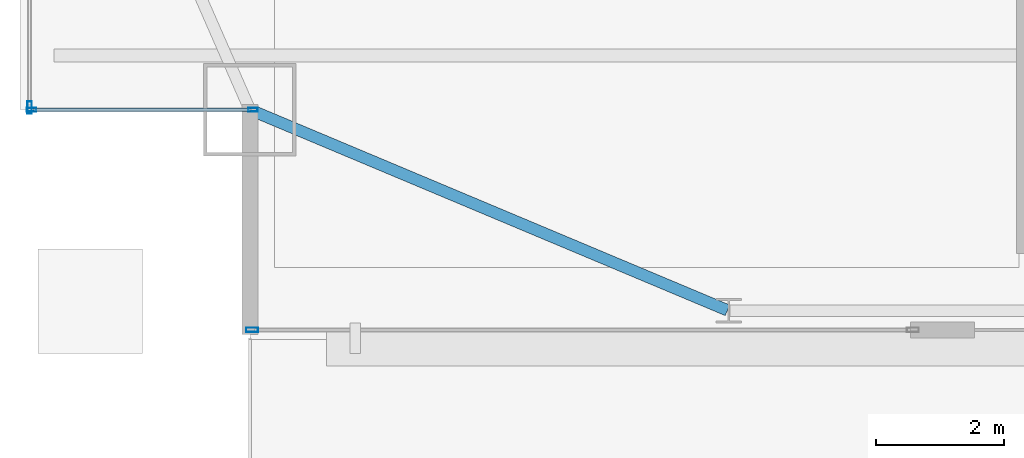
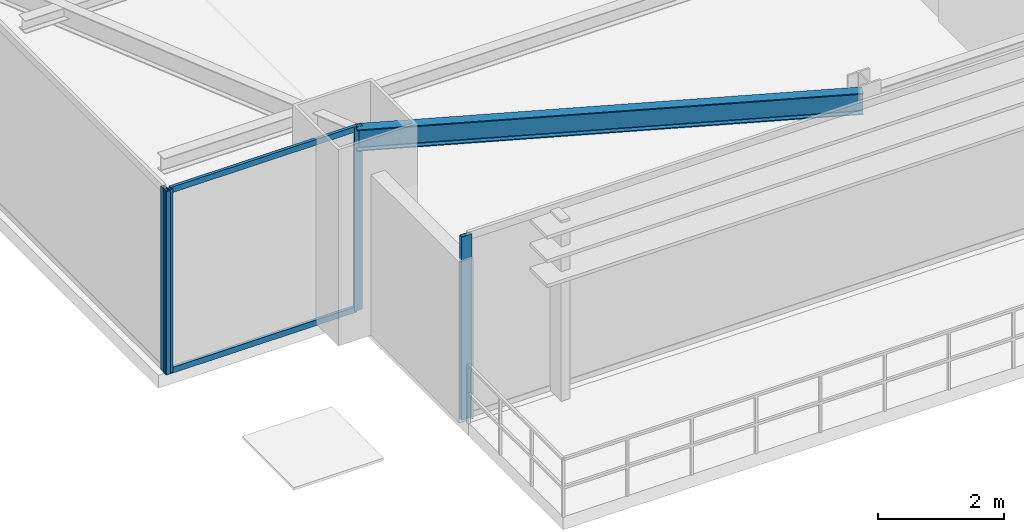
# One storey, part 3 of 35: 6 members, 1 beam, 3 elements without a shape of their own.
"""IFC4 building model written with IfcOpenShell, lengths in metres."""

from ifc_helpers import new_model, si_unit, direction, frame, origin, origin_2d, place, context, subcontext, project, spatial, hollow_rectangle, i_section, extrude, source, transform, mapped, material, layer, layer_set, material_profile, profile_set, type_object, type_shapes, element, aggregate, save


model = new_model("IFC4")

# Units and contexts
model_context = context("Model", 3, precision=1e-05, world=origin(), true_north=direction((0.0, 1.0)))
body_context = subcontext(model_context, "Body", "Model", "MODEL_VIEW")
ifc_project = project(units=[si_unit("LENGTHUNIT", "METRE"), si_unit("AREAUNIT", "SQUARE_METRE"), si_unit("VOLUMEUNIT", "CUBIC_METRE"), si_unit("PLANEANGLEUNIT", "RADIAN"), si_unit("MASSUNIT", "GRAM", prefix="KILO")], contexts=[model_context])

# Site, building, storey
site_placement = place(None, origin())
site = spatial("IfcSite", under=ifc_project, at=site_placement, CompositionType="ELEMENT")
building_placement = place(site_placement, origin())
building = spatial("IfcBuilding", under=site, at=building_placement, Name="Varnel Quay Broadcast Tower", CompositionType="ELEMENT")
storey_placement = place(building_placement, frame((0.0, 0.0, 87.0)))
storey = spatial("IfcBuildingStorey", under=building, at=storey_placement, Name="L20", CompositionType="ELEMENT", Elevation=87.0)

# Beam
ifc_material_1 = material(Name="Structural Steel CSA G40.21 350W", Category="steel")
ifc_material_profile_1 = material_profile(ifc_material_1, i_section(OverallWidth=0.180908203125, OverallDepth=0.4169921875, WebThickness=0.010986328125, FlangeThickness=0.018310546875, FilletRadius=0.011962890625, at=origin_2d()), Name="W410X85")
ifc_profile_set_1 = profile_set([ifc_material_profile_1], Name="Structural Steel CSA G40.21 350W")
beam_type = type_object("IfcBeamType", Name="Beam_W410X85", PredefinedType="SPANDREL", material=ifc_profile_set_1)
shared_shape_1 = source(origin(), body_context, "Body", "SweptSolid", [
    extrude(i_section(OverallWidth=0.180908203125, OverallDepth=0.4169921875, WebThickness=0.010986328125, FlangeThickness=0.018310546875, FilletRadius=0.011962890625, at=origin_2d()), origin(), (0.0, 0.0, 1.0), 8.0947265625),
])
type_shapes(beam_type, [shared_shape_1])
beam_placement = place(storey_placement, frame((8.118408203125, 7.792236328125, 3.341552734375), z_axis=(0.921981890247, -0.387232997117, 0.0), x_axis=(0.387232997117, 0.921981890247, 0.0)))
element("IfcBeam", 1, at=beam_placement, inside=storey, type_object=beam_type, Name="L20 South Spandrel MC-SW-TC-S1", PredefinedType="SPANDREL", context=body_context, shape_type="MappedRepresentation", body=[
    mapped(shared_shape_1, transform((0.0, 0.0, 0.0), x_axis=(1.0, 0.0, 0.0), y_axis=(0.0, 1.0, 0.0), z_axis=(0.0, 0.0, 1.0), scale=1.0)),
])

# Curtain wall, members
ifc_material_2 = material(Name="Anodised Bronze Aluminium 6063-T6", Category="aluminium")
ifc_layer_1 = layer(ifc_material_2, 0.18994140625, Name="Anodised Bronze Aluminium 6063-T6")
ifc_layer_set_1 = layer_set([ifc_layer_1], Name="Anodised Bronze Aluminium 6063-T6")
curtain_wall_type_1 = type_object("IfcCurtainWallType", Name="CW_NotchCorner", PredefinedType="NOTDEFINED", material=ifc_layer_set_1)
curtain_wall_1_placement = place(storey_placement, origin())
curtain_wall_1 = element("IfcCurtainWall", 2, at=curtain_wall_1_placement, inside=storey, type_object=curtain_wall_type_1, Name="L20 SW Notch Curtain Wall", PredefinedType="NOTDEFINED")
ifc_material_profile_2 = material_profile(ifc_material_2, hollow_rectangle(XDim=0.054931640625, YDim=0.110107421875, WallThickness=0.0029296875, at=origin_2d()), Name="ALU55X110X3")
ifc_profile_set_2 = profile_set([ifc_material_profile_2], Name="Anodised Bronze Aluminium 6063-T6")
member_type_1 = type_object("IfcMemberType", Name="Tran_CWS-04", PredefinedType="USERDEFINED", material=ifc_profile_set_2)
shared_shape_2 = source(origin(), body_context, "Body", "SweptSolid", [
    extrude(hollow_rectangle(XDim=0.054931640625, YDim=0.110107421875, WallThickness=0.0029296875, at=origin_2d()), origin(), (0.0, 0.0, 1.0), 3.41015625),
])
type_shapes(member_type_1, [shared_shape_2])
member_1_placement = place(storey_placement, frame((4.7099609375, 7.800048828125, 0.027587890625), z_axis=(1.0, 0.0, 0.0), x_axis=(0.0, 1.0, 0.0)))
member_1 = element("IfcMember", 3, at=member_1_placement, type_object=member_type_1, Name="CWS-04 transom 1.1", ObjectType="TRANSOM", PredefinedType="USERDEFINED", context=body_context, shape_type="MappedRepresentation", body=[
    mapped(shared_shape_2, transform((0.0, 0.0, 0.0), x_axis=(1.0, 0.0, 0.0), y_axis=(0.0, 1.0, 0.0), z_axis=(0.0, 0.0, 1.0), scale=1.0)),
])
member_2_placement = place(storey_placement, frame((4.7099609375, 7.800048828125, 3.5224609375), z_axis=(1.0, 0.0, 0.0), x_axis=(0.0, 1.0, 0.0)))
member_2 = element("IfcMember", 4, at=member_2_placement, type_object=member_type_1, Name="CWS-04 transom 1.2", ObjectType="TRANSOM", PredefinedType="USERDEFINED", context=body_context, shape_type="MappedRepresentation", body=[
    mapped(shared_shape_2, transform((0.0, 0.0, 0.0), x_axis=(1.0, 0.0, 0.0), y_axis=(0.0, 1.0, 0.0), z_axis=(0.0, 0.0, 1.0), scale=1.0)),
])

# Curtain wall, member
ifc_layer_2 = layer(ifc_material_2, 0.18994140625, Name="Anodised Bronze Aluminium 6063-T6")
ifc_layer_set_2 = layer_set([ifc_layer_2], Name="Anodised Bronze Aluminium 6063-T6")
curtain_wall_type_2 = type_object("IfcCurtainWallType", Name="CW_LowerTower", PredefinedType="NOTDEFINED", material=ifc_layer_set_2)
curtain_wall_2_placement = place(storey_placement, origin())
curtain_wall_2 = element("IfcCurtainWall", 5, at=curtain_wall_2_placement, inside=storey, type_object=curtain_wall_type_2, Name="L20 South Unitised Curtain Wall 1", PredefinedType="NOTDEFINED")
ifc_material_profile_3 = material_profile(ifc_material_2, hollow_rectangle(XDim=0.070068359375, YDim=0.18994140625, WallThickness=0.00390625, at=origin_2d()), Name="ALU70X190X4")
ifc_profile_set_3 = profile_set([ifc_material_profile_3], Name="Anodised Bronze Aluminium 6063-T6")
member_type_2 = type_object("IfcMemberType", Name="Mull_CWS-02", PredefinedType="MULLION", material=ifc_profile_set_3)
shared_shape_3 = source(origin(), body_context, "Body", "SweptSolid", [
    extrude(hollow_rectangle(XDim=0.070068359375, YDim=0.18994140625, WallThickness=0.00390625, at=origin_2d()), origin(), (0.0, 0.0, 1.0), 3.550048828125),
])
type_shapes(member_type_2, [shared_shape_3])
member_3_placement = place(storey_placement, frame((8.135009765625, 4.35009765625, 0.0), z_axis=(0.0, 0.0, 1.0), x_axis=(0.0, 1.0, 0.0)))
member_3 = element("IfcMember", 6, at=member_3_placement, type_object=member_type_2, Name="CWS-02 mullion 1", PredefinedType="MULLION", context=body_context, shape_type="MappedRepresentation", body=[
    mapped(shared_shape_3, transform((0.0, 0.0, 0.0), x_axis=(1.0, 0.0, 0.0), y_axis=(0.0, 1.0, 0.0), z_axis=(0.0, 0.0, 1.0), scale=1.0)),
])
aggregate(curtain_wall_2, [member_3])

curtain_wall_3_placement = place(storey_placement, origin())
curtain_wall_3 = element("IfcCurtainWall", 7, at=curtain_wall_3_placement, inside=storey, type_object=curtain_wall_type_2, Name="L20 West Unitised Curtain Wall", PredefinedType="NOTDEFINED")
member_4_placement = place(storey_placement, frame((4.64990234375, 7.8349609375, 0.0), z_axis=(0.0, 0.0, 1.0), x_axis=(-1.0, 0.0, 0.0)))
member_4 = element("IfcMember", 8, at=member_4_placement, type_object=member_type_2, Name="CWS-02 mullion 1", PredefinedType="MULLION", context=body_context, shape_type="MappedRepresentation", body=[
    mapped(shared_shape_3, transform((0.0, 0.0, 0.0), x_axis=(1.0, 0.0, 0.0), y_axis=(0.0, 1.0, 0.0), z_axis=(0.0, 0.0, 1.0), scale=1.0)),
])
aggregate(curtain_wall_3, [member_4])

# Member
ifc_material_profile_4 = material_profile(ifc_material_2, hollow_rectangle(XDim=0.06005859375, YDim=0.14501953125, WallThickness=0.00341796875, at=origin_2d()), Name="ALU60X145X3.5")
ifc_profile_set_4 = profile_set([ifc_material_profile_4], Name="Anodised Bronze Aluminium 6063-T6")
member_type_3 = type_object("IfcMemberType", Name="Mull_CWS-04", PredefinedType="MULLION", material=ifc_profile_set_4)
shared_shape_4 = source(origin(), body_context, "Body", "SweptSolid", [
    extrude(hollow_rectangle(XDim=0.06005859375, YDim=0.14501953125, WallThickness=0.00341796875, at=origin_2d()), origin(), (0.0, 0.0, 1.0), 3.550048828125),
])
type_shapes(member_type_3, [shared_shape_4])
member_5_placement = place(storey_placement, frame((4.679931640625, 7.800048828125, 0.0), z_axis=(0.0, 0.0, 1.0), x_axis=(0.0, 1.0, 0.0)))
member_5 = element("IfcMember", 9, at=member_5_placement, type_object=member_type_3, Name="CWS-04 mullion 1", PredefinedType="MULLION", context=body_context, shape_type="MappedRepresentation", body=[
    mapped(shared_shape_4, transform((0.0, 0.0, 0.0), x_axis=(1.0, 0.0, 0.0), y_axis=(0.0, 1.0, 0.0), z_axis=(0.0, 0.0, 1.0), scale=1.0)),
])

member_6_placement = place(storey_placement, frame((8.14990234375, 7.800048828125, 0.0), z_axis=(0.0, 0.0, 1.0), x_axis=(0.0, 1.0, 0.0)))
member_6 = element("IfcMember", 10, at=member_6_placement, type_object=member_type_3, Name="CWS-04 mullion 2", PredefinedType="MULLION", context=body_context, shape_type="MappedRepresentation", body=[
    mapped(shared_shape_4, transform((0.0, 0.0, 0.0), x_axis=(1.0, 0.0, 0.0), y_axis=(0.0, 1.0, 0.0), z_axis=(0.0, 0.0, 1.0), scale=1.0)),
])

aggregate(curtain_wall_1, [member_5, member_6, member_1, member_2])

save(model, "model.ifc")
